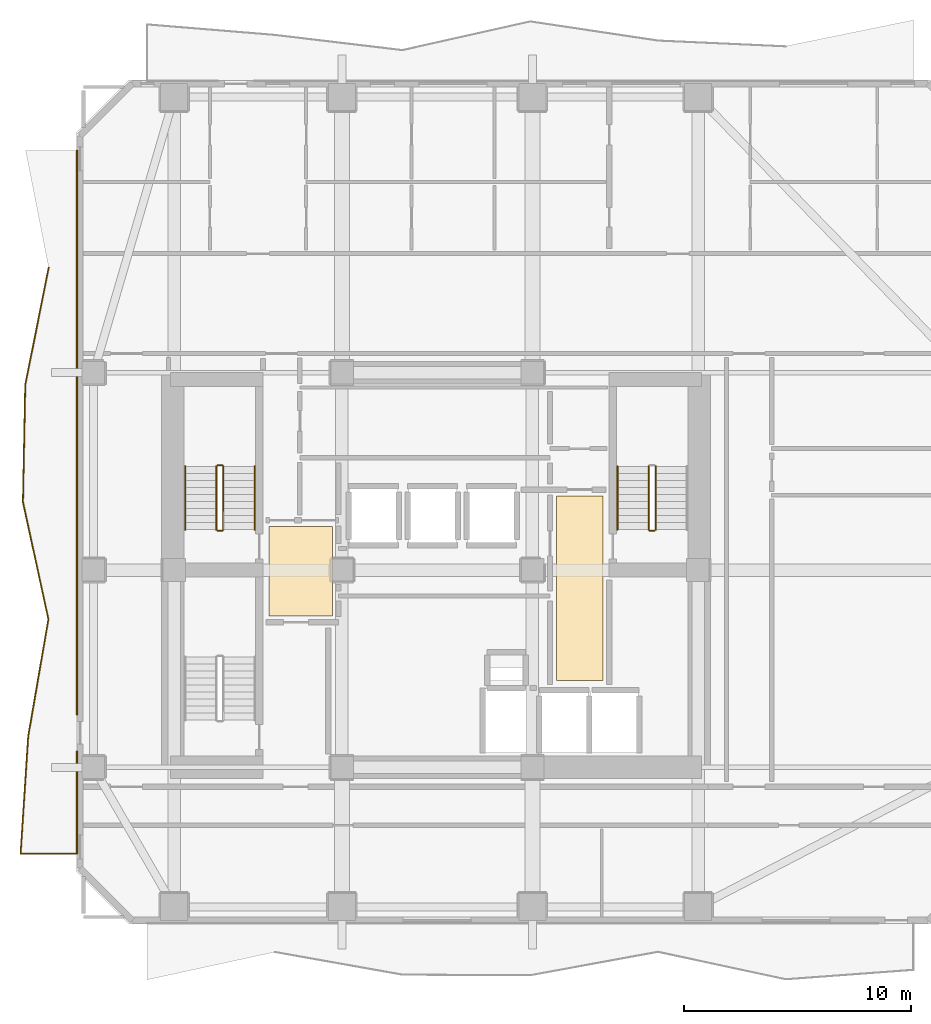
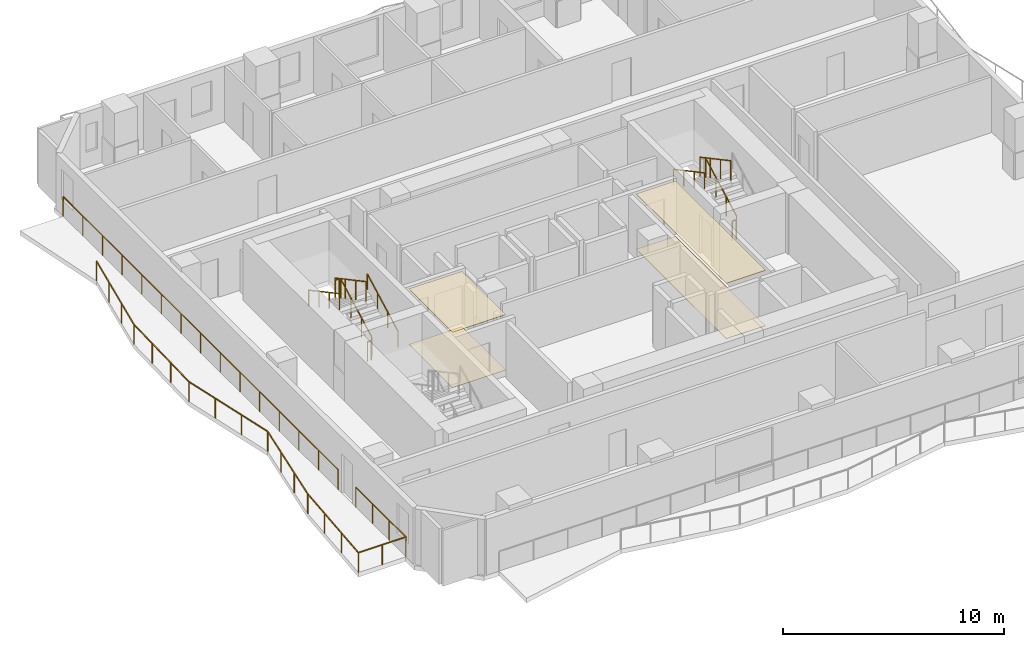
# One storey, part 9 of 11: 12 railings, 4 coverings.
"""IFC4 building model written with IfcOpenShell, lengths in metres."""

from ifc_helpers import new_model, si_unit, direction, frame, origin, origin_2d, place, context, subcontext, project, spatial, polyline, rectangle, outline, extrude, material, layer, layer_set, type_object, element, save


model = new_model("IFC4")

# Units and contexts
model_context = context("Model", 3, precision=1e-05, world=origin(), true_north=direction((0.0, 1.0)))
body_context = subcontext(model_context, "Body", "Model", "MODEL_VIEW")
ifc_project = project(units=[si_unit("LENGTHUNIT", "METRE"), si_unit("AREAUNIT", "SQUARE_METRE"), si_unit("VOLUMEUNIT", "CUBIC_METRE"), si_unit("PLANEANGLEUNIT", "RADIAN"), si_unit("MASSUNIT", "GRAM", prefix="KILO")], contexts=[model_context])

# Site, building, storey
site_placement = place(None, origin())
site = spatial("IfcSite", under=ifc_project, at=site_placement, CompositionType="ELEMENT")
building_placement = place(site_placement, origin())
building = spatial("IfcBuilding", under=site, at=building_placement, Name="Solanera Arch Residences", CompositionType="ELEMENT")
storey_placement = place(building_placement, frame((0.0, 0.0, 159.199951171875)))
storey = spatial("IfcBuildingStorey", under=building, at=storey_placement, Name="L46", CompositionType="ELEMENT", Elevation=159.199951171875)

# Railings
ifc_material_1 = material(Name="Steel S355 (ASTM A992 / A572 Grade 50)", Category="steel")
railing_type_1 = type_object("IfcRailingType", Name="Balustrade Railing BL-1100", PredefinedType="BALUSTRADE", material=ifc_material_1)
railing_1_placement = place(storey_placement, frame((7.8701171875, 44.032958984375, 0.0)))
element("IfcRailing", 1, at=railing_1_placement, inside=storey, type_object=railing_type_1, Name="L46 W Balcony Balustrade 1", PredefinedType="BALUSTRADE", context=body_context, shape_type="SweptSolid", body=[
    extrude(rectangle(XDim=0.048095703125, YDim=0.048095703125, at=origin_2d()), frame((0.0, 0.0, 1.09619140625), z_axis=(-0.195937889876, -0.980616307896, 0.0), x_axis=(0.980616307896, -0.195937889876, 0.0)), (0.0, 0.0, 1.0), 5.26806640625),
    extrude(rectangle(XDim=0.048095703125, YDim=0.048095703125, at=origin_2d()), frame((-1.0322265625, -5.166015625, 1.09619140625), z_axis=(-0.01988833535, -0.999802207498, 0.0), x_axis=(0.999802207498, -0.01988833535, 0.0)), (0.0, 0.0, 1.0), 5.16796875),
    extrude(rectangle(XDim=0.048095703125, YDim=0.048095703125, at=origin_2d()), frame((-1.135009765625, -10.3330078125, 1.09619140625), z_axis=(0.212347216538, -0.977194279367, 0.0), x_axis=(0.977194279367, 0.212347216538, 0.0)), (0.0, 0.0, 1.0), 5.28759765625),
    extrude(rectangle(XDim=0.048095703125, YDim=0.048095703125, at=origin_2d()), frame((-0.01220703125, -15.5, 1.09619140625), z_axis=(-0.169939667092, -0.985454468531, 0.0), x_axis=(0.985454468531, -0.169939667092, 0.0)), (0.0, 0.0, 1.0), 5.2421875),
    extrude(rectangle(XDim=0.048095703125, YDim=0.048095703125, at=origin_2d()), frame((-0.903076171875, -20.666015625, 1.09619140625), z_axis=(-0.064691273244, -0.997905325753, 0.0), x_axis=(0.997905325753, -0.064691273244, 0.0)), (0.0, 0.0, 1.0), 5.177734375),
    extrude(rectangle(XDim=0.048095703125, YDim=0.048095703125, at=origin_2d()), frame((-1.238037109375, -25.8330078125, 1.09619140625), z_axis=(1.0, 0.0, 0.0), x_axis=(0.0, 1.0, 0.0)), (0.0, 0.0, 1.0), 2.488037109375),
    extrude(rectangle(XDim=0.048095703125, YDim=0.048095703125, at=origin_2d()), frame((1.25, -25.8330078125, 1.09619140625), z_axis=(0.0, 1.0, 0.0), x_axis=(-1.0, 0.0, 0.0)), (0.0, 0.0, 1.0), 4.52197265625),
    extrude(rectangle(XDim=0.0419921875, YDim=0.0419921875, at=origin_2d()), origin(), (0.0, 0.0, 1.0), 1.072021484375),
    extrude(rectangle(XDim=0.0419921875, YDim=0.0419921875, at=origin_2d()), frame((-0.343994140625, -1.721923828125, 0.0)), (0.0, 0.0, 1.0), 1.072021484375),
    extrude(rectangle(XDim=0.0419921875, YDim=0.0419921875, at=origin_2d()), frame((-0.688232421875, -3.444091796875, 0.0)), (0.0, 0.0, 1.0), 1.072021484375),
    extrude(rectangle(XDim=0.0419921875, YDim=0.0419921875, at=origin_2d()), frame((-1.0322265625, -5.166015625, 0.0)), (0.0, 0.0, 1.0), 1.072021484375),
    extrude(rectangle(XDim=0.0419921875, YDim=0.0419921875, at=origin_2d()), frame((-1.06640625, -6.888427734375, 0.0)), (0.0, 0.0, 1.0), 1.072021484375),
    extrude(rectangle(XDim=0.0419921875, YDim=0.0419921875, at=origin_2d()), frame((-1.100830078125, -8.610595703125, 0.0)), (0.0, 0.0, 1.0), 1.072021484375),
    extrude(rectangle(XDim=0.0419921875, YDim=0.0419921875, at=origin_2d()), frame((-1.135009765625, -10.3330078125, 0.0)), (0.0, 0.0, 1.0), 1.072021484375),
    extrude(rectangle(XDim=0.0419921875, YDim=0.0419921875, at=origin_2d()), frame((-0.7607421875, -12.055419921875, 0.0)), (0.0, 0.0, 1.0), 1.072021484375),
    extrude(rectangle(XDim=0.0419921875, YDim=0.0419921875, at=origin_2d()), frame((-0.386474609375, -13.777587890625, 0.0)), (0.0, 0.0, 1.0), 1.072021484375),
    extrude(rectangle(XDim=0.0419921875, YDim=0.0419921875, at=origin_2d()), frame((-0.01220703125, -15.5, 0.0)), (0.0, 0.0, 1.0), 1.072021484375),
    extrude(rectangle(XDim=0.0419921875, YDim=0.0419921875, at=origin_2d()), frame((-0.30908203125, -17.221923828125, 0.0)), (0.0, 0.0, 1.0), 1.072021484375),
    extrude(rectangle(XDim=0.0419921875, YDim=0.0419921875, at=origin_2d()), frame((-0.606201171875, -18.944091796875, 0.0)), (0.0, 0.0, 1.0), 1.072021484375),
    extrude(rectangle(XDim=0.0419921875, YDim=0.0419921875, at=origin_2d()), frame((-0.903076171875, -20.666015625, 0.0)), (0.0, 0.0, 1.0), 1.072021484375),
    extrude(rectangle(XDim=0.0419921875, YDim=0.0419921875, at=origin_2d()), frame((-1.0146484375, -22.388427734375, 0.0)), (0.0, 0.0, 1.0), 1.072021484375),
    extrude(rectangle(XDim=0.0419921875, YDim=0.0419921875, at=origin_2d()), frame((-1.12646484375, -24.110595703125, 0.0)), (0.0, 0.0, 1.0), 1.072021484375),
    extrude(rectangle(XDim=0.0419921875, YDim=0.0419921875, at=origin_2d()), frame((-1.238037109375, -25.8330078125, 0.0)), (0.0, 0.0, 1.0), 1.072021484375),
    extrude(rectangle(XDim=0.0419921875, YDim=0.0419921875, at=origin_2d()), frame((0.005859375, -25.8330078125, 0.0)), (0.0, 0.0, 1.0), 1.072021484375),
    extrude(rectangle(XDim=0.0419921875, YDim=0.0419921875, at=origin_2d()), frame((1.25, -25.8330078125, 0.0)), (0.0, 0.0, 1.0), 1.072021484375),
    extrude(rectangle(XDim=0.0419921875, YDim=0.0419921875, at=origin_2d()), frame((1.25, -24.32568359375, 0.0)), (0.0, 0.0, 1.0), 1.072021484375),
    extrude(rectangle(XDim=0.0419921875, YDim=0.0419921875, at=origin_2d()), frame((1.25, -22.818359375, 0.0)), (0.0, 0.0, 1.0), 1.072021484375),
    extrude(rectangle(XDim=0.0419921875, YDim=0.0419921875, at=origin_2d()), frame((1.25, -21.31103515625, 0.0)), (0.0, 0.0, 1.0), 1.072021484375),
])
railing_2_placement = place(storey_placement, frame((9.1201171875, 24.322021484375, 0.0)))
element("IfcRailing", 2, at=railing_2_placement, inside=storey, type_object=railing_type_1, Name="L46 W Balcony Balustrade 2", PredefinedType="BALUSTRADE", context=body_context, shape_type="SweptSolid", body=[
    extrude(rectangle(XDim=0.048095703125, YDim=0.048095703125, at=origin_2d()), frame((0.0, 0.0, 1.09619140625), z_axis=(0.0, 1.0, 0.0), x_axis=(-1.0, 0.0, 0.0)), (0.0, 0.0, 1.0), 24.8779296875),
    extrude(rectangle(XDim=0.0419921875, YDim=0.0419921875, at=origin_2d()), origin(), (0.0, 0.0, 1.0), 1.072021484375),
    extrude(rectangle(XDim=0.0419921875, YDim=0.0419921875, at=origin_2d()), frame((0.0, 1.777099609375, 0.0)), (0.0, 0.0, 1.0), 1.072021484375),
    extrude(rectangle(XDim=0.0419921875, YDim=0.0419921875, at=origin_2d()), frame((0.0, 3.553955078125, 0.0)), (0.0, 0.0, 1.0), 1.072021484375),
    extrude(rectangle(XDim=0.0419921875, YDim=0.0419921875, at=origin_2d()), frame((0.0, 5.3310546875, 0.0)), (0.0, 0.0, 1.0), 1.072021484375),
    extrude(rectangle(XDim=0.0419921875, YDim=0.0419921875, at=origin_2d()), frame((0.0, 7.10791015625, 0.0)), (0.0, 0.0, 1.0), 1.072021484375),
    extrude(rectangle(XDim=0.0419921875, YDim=0.0419921875, at=origin_2d()), frame((0.0, 8.885009765625, 0.0)), (0.0, 0.0, 1.0), 1.072021484375),
    extrude(rectangle(XDim=0.0419921875, YDim=0.0419921875, at=origin_2d()), frame((0.0, 10.661865234375, 0.0)), (0.0, 0.0, 1.0), 1.072021484375),
    extrude(rectangle(XDim=0.0419921875, YDim=0.0419921875, at=origin_2d()), frame((0.0, 12.43896484375, 0.0)), (0.0, 0.0, 1.0), 1.072021484375),
    extrude(rectangle(XDim=0.0419921875, YDim=0.0419921875, at=origin_2d()), frame((0.0, 14.216064453125, 0.0)), (0.0, 0.0, 1.0), 1.072021484375),
    extrude(rectangle(XDim=0.0419921875, YDim=0.0419921875, at=origin_2d()), frame((0.0, 15.992919921875, 0.0)), (0.0, 0.0, 1.0), 1.072021484375),
    extrude(rectangle(XDim=0.0419921875, YDim=0.0419921875, at=origin_2d()), frame((0.0, 17.77001953125, 0.0)), (0.0, 0.0, 1.0), 1.072021484375),
    extrude(rectangle(XDim=0.0419921875, YDim=0.0419921875, at=origin_2d()), frame((0.0, 19.546875, 0.0)), (0.0, 0.0, 1.0), 1.072021484375),
    extrude(rectangle(XDim=0.0419921875, YDim=0.0419921875, at=origin_2d()), frame((0.0, 21.323974609375, 0.0)), (0.0, 0.0, 1.0), 1.072021484375),
    extrude(rectangle(XDim=0.0419921875, YDim=0.0419921875, at=origin_2d()), frame((0.0, 23.100830078125, 0.0)), (0.0, 0.0, 1.0), 1.072021484375),
    extrude(rectangle(XDim=0.0419921875, YDim=0.0419921875, at=origin_2d()), frame((0.0, 24.8779296875, 0.0)), (0.0, 0.0, 1.0), 1.072021484375),
])

# Coverings
ifc_material_2 = material(Name="Porcelain Acoustic Floor Tile", Category="ceramic")
ifc_layer_1 = layer(ifc_material_2, 0.02001953125)
ifc_layer_set_1 = layer_set([ifc_layer_1], Name="Porcelain Acoustic Floor Tile")
covering_type_1 = type_object("IfcCoveringType", Name="Porcelain Acoustic Floor Finish FLR-20", PredefinedType="FLOORING", material=ifc_layer_set_1)
covering_1_placement = place(storey_placement, origin())
element("IfcCovering", 3, at=covering_1_placement, inside=storey, type_object=covering_type_1, Name="L46-FFL-W Porcelain Floor Finish", PredefinedType="FLOORING", context=body_context, shape_type="SweptSolid", body=[
    extrude(outline(polyline([(20.375, 28.675048828125), (17.594970703125, 28.675048828125), (17.594970703125, 32.625), (20.375, 32.625), (20.375, 28.675048828125)])), origin(), (0.0, 0.0, 1.0), 0.02001953125),
])
covering_2_placement = place(storey_placement, origin())
element("IfcCovering", 4, at=covering_2_placement, inside=storey, type_object=covering_type_1, Name="L46-FFL-E Porcelain Floor Finish", PredefinedType="FLOORING", context=body_context, shape_type="SweptSolid", body=[
    extrude(outline(polyline([(32.304931640625, 25.824951171875), (30.25, 25.824951171875), (30.25, 33.97509765625), (32.304931640625, 33.97509765625), (32.304931640625, 25.824951171875)])), origin(), (0.0, 0.0, 1.0), 0.02001953125),
])

# Railings
ifc_material_3 = material(Name="Steel S355 (ASTM A992 / A572 Grade 50)", Category="steel")
railing_type_2 = type_object("IfcRailingType", Name="Stair Guardrail GR-1100", PredefinedType="GUARDRAIL", material=ifc_material_3)
railing_3_placement = place(storey_placement, frame((15.570068359375, 32.47998046875, 0.151123046875)))
element("IfcRailing", 5, at=railing_3_placement, inside=storey, type_object=railing_type_2, Name="L46 ST-T1 stair guard 1", PredefinedType="GUARDRAIL", context=body_context, shape_type="SweptSolid", body=[
    extrude(rectangle(XDim=0.048095703125, YDim=0.048095703125, at=origin_2d()), frame((0.0, 0.0, 1.076171875), z_axis=(0.0, 0.881580869306, 0.472033018838), x_axis=(-1.0, 0.0, 0.0)), (0.0, 0.0, 1.0), 3.164794921875),
    extrude(rectangle(XDim=0.0419921875, YDim=0.0419921875, at=origin_2d()), origin(), (0.0, 0.0, 1.0), 1.052001953125),
    extrude(rectangle(XDim=0.0419921875, YDim=0.0419921875, at=origin_2d()), frame((0.0, 0.929931640625, 0.498046875)), (0.0, 0.0, 1.0), 1.052001953125),
    extrude(rectangle(XDim=0.0419921875, YDim=0.0419921875, at=origin_2d()), frame((0.0, 1.860107421875, 0.995849609375)), (0.0, 0.0, 1.0), 1.052001953125),
    extrude(rectangle(XDim=0.0419921875, YDim=0.0419921875, at=origin_2d()), frame((0.0, 2.7900390625, 1.493896484375)), (0.0, 0.0, 1.0), 1.052001953125),
])
railing_4_placement = place(storey_placement, frame((15.52001953125, 35.320068359375, 1.64501953125)))
element("IfcRailing", 6, at=railing_4_placement, inside=storey, type_object=railing_type_2, Name="L46 ST-T1 stair guard 2", PredefinedType="GUARDRAIL", context=body_context, shape_type="SweptSolid", body=[
    extrude(rectangle(XDim=0.048095703125, YDim=0.048095703125, at=origin_2d()), frame((0.0, 0.0, 1.076171875), z_axis=(-1.0, 0.0, 0.0), x_axis=(0.0, -1.0, 0.0)), (0.0, 0.0, 1.0), 0.199951171875),
    extrude(rectangle(XDim=0.0419921875, YDim=0.0419921875, at=origin_2d()), origin(), (0.0, 0.0, 1.0), 1.052001953125),
    extrude(rectangle(XDim=0.0419921875, YDim=0.0419921875, at=origin_2d()), frame((-0.199951171875, 0.0, 0.0)), (0.0, 0.0, 1.0), 1.052001953125),
])
railing_5_placement = place(storey_placement, frame((15.27001953125, 35.27001953125, 1.81103515625)))
element("IfcRailing", 7, at=railing_5_placement, inside=storey, type_object=railing_type_2, Name="L46 ST-T1 stair guard 3", PredefinedType="GUARDRAIL", context=body_context, shape_type="SweptSolid", body=[
    extrude(rectangle(XDim=0.048095703125, YDim=0.048095703125, at=origin_2d()), frame((0.0, 0.0, 1.076171875), z_axis=(0.0, -0.881580869306, 0.472033018838), x_axis=(1.0, 0.0, 0.0)), (0.0, 0.0, 1.0), 3.164794921875),
    extrude(rectangle(XDim=0.0419921875, YDim=0.0419921875, at=origin_2d()), origin(), (0.0, 0.0, 1.0), 1.052001953125),
    extrude(rectangle(XDim=0.0419921875, YDim=0.0419921875, at=origin_2d()), frame((0.0, -0.929931640625, 0.498046875)), (0.0, 0.0, 1.0), 1.052001953125),
    extrude(rectangle(XDim=0.0419921875, YDim=0.0419921875, at=origin_2d()), frame((0.0, -1.860107421875, 0.995849609375)), (0.0, 0.0, 1.0), 1.052001953125),
    extrude(rectangle(XDim=0.0419921875, YDim=0.0419921875, at=origin_2d()), frame((0.0, -2.7900390625, 1.493896484375)), (0.0, 0.0, 1.0), 1.052001953125),
])
railing_6_placement = place(storey_placement, frame((15.52001953125, 32.429931640625, -0.014892578125)))
element("IfcRailing", 8, at=railing_6_placement, inside=storey, type_object=railing_type_2, Name="L46 ST-T1 stair guard 4", PredefinedType="GUARDRAIL", context=body_context, shape_type="SweptSolid", body=[
    extrude(rectangle(XDim=0.048095703125, YDim=0.048095703125, at=origin_2d()), frame((0.0, 0.0, 1.076171875), z_axis=(-1.0, 0.0, 0.0), x_axis=(0.0, -1.0, 0.0)), (0.0, 0.0, 1.0), 0.199951171875),
    extrude(rectangle(XDim=0.0419921875, YDim=0.0419921875, at=origin_2d()), origin(), (0.0, 0.0, 1.0), 1.052001953125),
    extrude(rectangle(XDim=0.0419921875, YDim=0.0419921875, at=origin_2d()), frame((-0.199951171875, 0.0, 0.0)), (0.0, 0.0, 1.0), 1.052001953125),
])
railing_7_placement = place(storey_placement, frame((34.6298828125, 32.47998046875, 0.151123046875)))
element("IfcRailing", 9, at=railing_7_placement, inside=storey, type_object=railing_type_2, Name="L46 ST-T2 stair guard 1", PredefinedType="GUARDRAIL", context=body_context, shape_type="SweptSolid", body=[
    extrude(rectangle(XDim=0.048095703125, YDim=0.048095703125, at=origin_2d()), frame((0.0, 0.0, 1.076171875), z_axis=(0.0, 0.881580869306, 0.472033018838), x_axis=(-1.0, 0.0, 0.0)), (0.0, 0.0, 1.0), 3.164794921875),
    extrude(rectangle(XDim=0.0419921875, YDim=0.0419921875, at=origin_2d()), origin(), (0.0, 0.0, 1.0), 1.052001953125),
    extrude(rectangle(XDim=0.0419921875, YDim=0.0419921875, at=origin_2d()), frame((0.0, 0.929931640625, 0.498046875)), (0.0, 0.0, 1.0), 1.052001953125),
    extrude(rectangle(XDim=0.0419921875, YDim=0.0419921875, at=origin_2d()), frame((0.0, 1.860107421875, 0.995849609375)), (0.0, 0.0, 1.0), 1.052001953125),
    extrude(rectangle(XDim=0.0419921875, YDim=0.0419921875, at=origin_2d()), frame((0.0, 2.7900390625, 1.493896484375)), (0.0, 0.0, 1.0), 1.052001953125),
])
railing_8_placement = place(storey_placement, frame((34.330078125, 35.27001953125, 1.81103515625)))
element("IfcRailing", 10, at=railing_8_placement, inside=storey, type_object=railing_type_2, Name="L46 ST-T2 stair guard 3", PredefinedType="GUARDRAIL", context=body_context, shape_type="SweptSolid", body=[
    extrude(rectangle(XDim=0.048095703125, YDim=0.048095703125, at=origin_2d()), frame((0.0, 0.0, 1.076171875), z_axis=(0.0, -0.881580869306, 0.472033018838), x_axis=(1.0, 0.0, 0.0)), (0.0, 0.0, 1.0), 3.164794921875),
    extrude(rectangle(XDim=0.0419921875, YDim=0.0419921875, at=origin_2d()), origin(), (0.0, 0.0, 1.0), 1.052001953125),
    extrude(rectangle(XDim=0.0419921875, YDim=0.0419921875, at=origin_2d()), frame((0.0, -0.929931640625, 0.498046875)), (0.0, 0.0, 1.0), 1.052001953125),
    extrude(rectangle(XDim=0.0419921875, YDim=0.0419921875, at=origin_2d()), frame((0.0, -1.860107421875, 0.995849609375)), (0.0, 0.0, 1.0), 1.052001953125),
    extrude(rectangle(XDim=0.0419921875, YDim=0.0419921875, at=origin_2d()), frame((0.0, -2.7900390625, 1.493896484375)), (0.0, 0.0, 1.0), 1.052001953125),
])
railing_9_placement = place(storey_placement, frame((34.580078125, 32.429931640625, -0.014892578125)))
element("IfcRailing", 11, at=railing_9_placement, inside=storey, type_object=railing_type_2, Name="L46 ST-T2 stair guard 4", PredefinedType="GUARDRAIL", context=body_context, shape_type="SweptSolid", body=[
    extrude(rectangle(XDim=0.048095703125, YDim=0.048095703125, at=origin_2d()), frame((0.0, 0.0, 1.076171875), z_axis=(-1.0, 0.0, 0.0), x_axis=(0.0, -1.0, 0.0)), (0.0, 0.0, 1.0), 0.2001953125),
    extrude(rectangle(XDim=0.0419921875, YDim=0.0419921875, at=origin_2d()), origin(), (0.0, 0.0, 1.0), 1.052001953125),
    extrude(rectangle(XDim=0.0419921875, YDim=0.0419921875, at=origin_2d()), frame((-0.2001953125, 0.0, 0.0)), (0.0, 0.0, 1.0), 1.052001953125),
])
ifc_material_4 = material(Name="Steel S355 (ASTM A992 / A572 Grade 50)", Category="steel")
railing_type_3 = type_object("IfcRailingType", Name="Stair Wall Handrail HR-920", PredefinedType="HANDRAIL", material=ifc_material_4)
railing_10_placement = place(storey_placement, frame((16.949951171875, 32.47998046875, 0.166015625)))
element("IfcRailing", 12, at=railing_10_placement, inside=storey, type_object=railing_type_3, Name="L46 ST-T1 stair handrail 1", PredefinedType="HANDRAIL", context=body_context, shape_type="SweptSolid", body=[
    extrude(rectangle(XDim=0.048095703125, YDim=0.048095703125, at=origin_2d()), frame((0.0, 0.0, 0.8759765625), z_axis=(0.0, 0.881548766853, 0.472092969298), x_axis=(-1.0, 0.0, 0.0)), (0.0, 0.0, 1.0), 3.1650390625),
    extrude(rectangle(XDim=0.0419921875, YDim=0.0419921875, at=origin_2d()), origin(), (0.0, 0.0, 1.0), 0.851806640625),
    extrude(rectangle(XDim=0.0419921875, YDim=0.0419921875, at=origin_2d()), frame((0.0, 0.929931640625, 0.498046875)), (0.0, 0.0, 1.0), 0.851806640625),
    extrude(rectangle(XDim=0.0419921875, YDim=0.0419921875, at=origin_2d()), frame((0.0, 1.860107421875, 0.99609375)), (0.0, 0.0, 1.0), 0.851806640625),
    extrude(rectangle(XDim=0.0419921875, YDim=0.0419921875, at=origin_2d()), frame((0.0, 2.7900390625, 1.494140625)), (0.0, 0.0, 1.0), 0.851806640625),
])
for number, where, name in (
    (13, (13.889892578125, 35.27001953125, 1.825927734375), "L46 ST-T1 stair handrail 2"),
    (14, (32.949951171875, 35.27001953125, 1.825927734375), "L46 ST-T2 stair handrail 2"),
):
    element("IfcRailing", number, at=place(storey_placement, frame(where)), inside=storey, type_object=railing_type_3, Name=name, PredefinedType="HANDRAIL", context=body_context, shape_type="SweptSolid", body=[
        extrude(rectangle(XDim=0.048095703125, YDim=0.048095703125, at=origin_2d()), frame((0.0, 0.0, 0.8759765625), z_axis=(0.0, -0.881548766853, 0.472092969298), x_axis=(1.0, 0.0, 0.0)), (0.0, 0.0, 1.0), 3.1650390625),
        extrude(rectangle(XDim=0.0419921875, YDim=0.0419921875, at=origin_2d()), origin(), (0.0, 0.0, 1.0), 0.851806640625),
        extrude(rectangle(XDim=0.0419921875, YDim=0.0419921875, at=origin_2d()), frame((0.0, -0.929931640625, 0.498046875)), (0.0, 0.0, 1.0), 0.851806640625),
        extrude(rectangle(XDim=0.0419921875, YDim=0.0419921875, at=origin_2d()), frame((0.0, -1.860107421875, 0.99609375)), (0.0, 0.0, 1.0), 0.851806640625),
        extrude(rectangle(XDim=0.0419921875, YDim=0.0419921875, at=origin_2d()), frame((0.0, -2.7900390625, 1.494140625)), (0.0, 0.0, 1.0), 0.851806640625),
    ])

# Coverings
ifc_material_5 = material(Name="Mineral Fibre Acoustic Ceiling Board", Category="gypsum")
ifc_layer_2 = layer(ifc_material_5, 0.02490234375)
ifc_layer_set_2 = layer_set([ifc_layer_2], Name="Mineral Fibre Acoustic Ceiling Board")
covering_type_2 = type_object("IfcCoveringType", Name="Suspended Acoustic Ceiling Board CLG-25", PredefinedType="CEILING", material=ifc_layer_set_2)
covering_3_placement = place(storey_placement, frame((0.0, 0.0, 3.054931640625)))
element("IfcCovering", 15, at=covering_3_placement, inside=storey, type_object=covering_type_2, Name="L46-FFL-W Acoustic Ceiling", PredefinedType="CEILING", context=body_context, shape_type="SweptSolid", body=[
    extrude(outline(polyline([(20.375, 28.675048828125), (17.594970703125, 28.675048828125), (17.594970703125, 32.625), (20.375, 32.625), (20.375, 28.675048828125)])), origin(), (0.0, 0.0, 1.0), 0.025146484375),
])
covering_4_placement = place(storey_placement, frame((0.0, 0.0, 3.054931640625)))
element("IfcCovering", 16, at=covering_4_placement, inside=storey, type_object=covering_type_2, Name="L46-FFL-E Acoustic Ceiling", PredefinedType="CEILING", context=body_context, shape_type="SweptSolid", body=[
    extrude(outline(polyline([(32.304931640625, 25.824951171875), (30.25, 25.824951171875), (30.25, 33.97509765625), (32.304931640625, 33.97509765625), (32.304931640625, 25.824951171875)])), origin(), (0.0, 0.0, 1.0), 0.025146484375),
])

save(model, "model.ifc")
